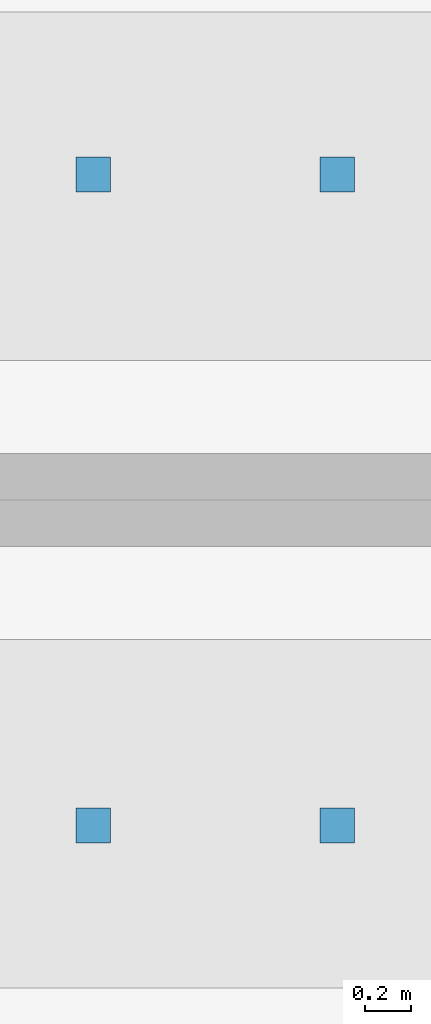
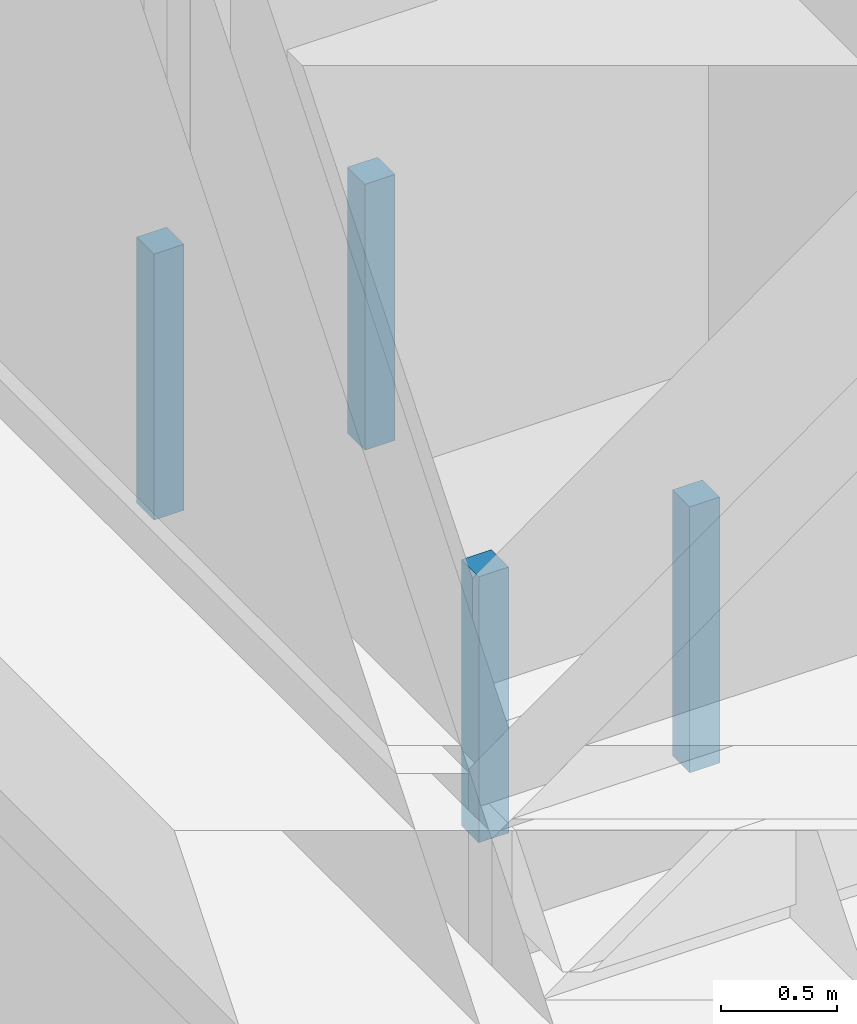
# One storey, part 108 of 148: 4 discrete accessories.
"""IFC4 building model written with IfcOpenShell, lengths in metres."""

from ifc_helpers import new_model, si_unit, direction, frame, origin, origin_2d, place, context, subcontext, project, spatial, rectangle, extrude, material, layer, layer_set, type_object, element, save


model = new_model("IFC4")

# Units and contexts
model_context = context("Model", 3, precision=1e-05, world=origin(), true_north=direction((0.0, 1.0)))
body_context = subcontext(model_context, "Body", "Model", "MODEL_VIEW")
ifc_project = project(units=[si_unit("LENGTHUNIT", "METRE"), si_unit("AREAUNIT", "SQUARE_METRE"), si_unit("VOLUMEUNIT", "CUBIC_METRE"), si_unit("PLANEANGLEUNIT", "RADIAN"), si_unit("MASSUNIT", "GRAM", prefix="KILO")], contexts=[model_context])

# Site, building, storey
site_placement = place(None, origin())
site = spatial("IfcSite", under=ifc_project, at=site_placement, CompositionType="ELEMENT")
building_placement = place(site_placement, origin())
building = spatial("IfcBuilding", under=site, at=building_placement, Name="Kupolbacken Congress Centre", CompositionType="ELEMENT")
storey_placement = place(building_placement, origin())
storey = spatial("IfcBuildingStorey", under=building, at=storey_placement, Name="L00", CompositionType="ELEMENT", Elevation=0.0)

# Discrete accessories
ifc_material = material(Name="Steel S355", Category="steel")
ifc_layer = layer(ifc_material, 0.011962890625)
ifc_layer_set = layer_set([ifc_layer], Name="Steel S355")
discrete_accessory_type = type_object("IfcDiscreteAccessoryType", Name="BK1 bracket 150 x 150 x 12", PredefinedType="BRACKET", material=ifc_layer_set)
for number, where, z_axis, x_axis, name in (
    (1, (7.97509765625, 37.550048828125, -1.39990234375), (0.0, 0.0, 1.0), (1.0, 0.0, 0.0), "Lift car buffer post LP1"),
    (2, (9.02490234375, 37.550048828125, -1.39990234375), (0.0, 0.0, 1.0), (1.0, 0.0, 0.0), "Lift car buffer post LP1"),
    (3, (7.97509765625, 40.35009765625, -1.39990234375), (0.0, 0.0, 1.0), (1.0, 0.0, 0.0), "Lift car buffer post LP2"),
    (4, (9.02490234375, 40.35009765625, -1.39990234375), (0.0, 0.0, 1.0), (1.0, 0.0, 0.0), "Lift car buffer post LP2"),
):
    element("IfcDiscreteAccessory", number, at=place(storey_placement, frame(where, z_axis=z_axis, x_axis=x_axis)), inside=storey, type_object=discrete_accessory_type, Name=name, PredefinedType="BRACKET", context=body_context, shape_type="SweptSolid", body=[
        extrude(rectangle(XDim=0.14990234375, YDim=0.14990234375, at=origin_2d()), origin(), (0.0, 0.0, 1.0), 1.39990234375),
    ])

save(model, "model.ifc")
